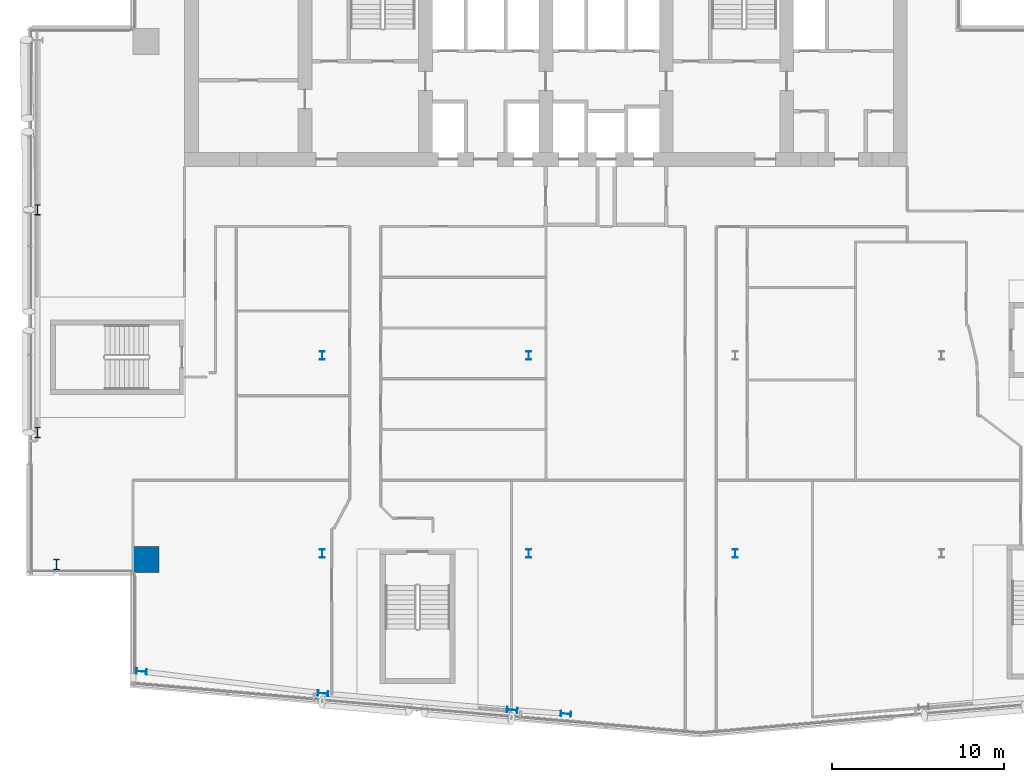
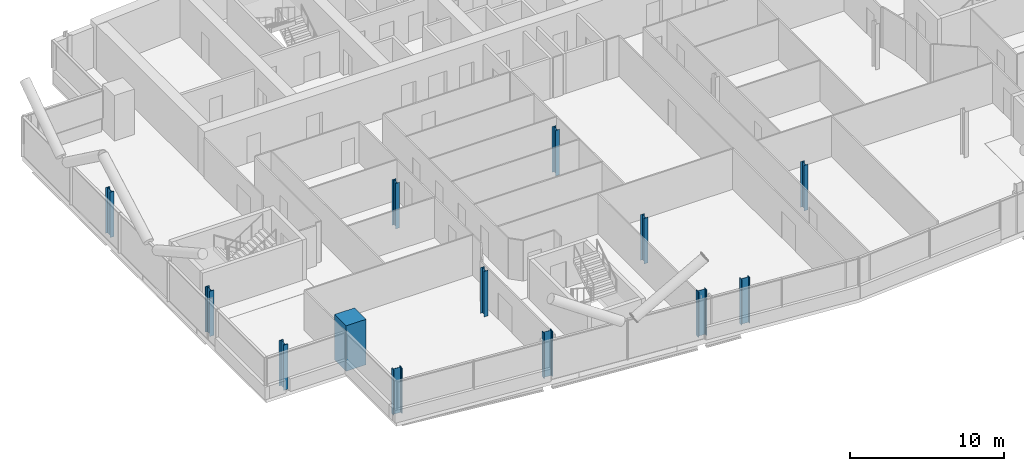
# One storey, part 1 of 26: 13 columns.
"""IFC4 building model written with IfcOpenShell, lengths in metres."""

from ifc_helpers import new_model, si_unit, direction, frame, origin, origin_2d, place, context, subcontext, project, spatial, rectangle, i_section, extrude, material, material_profile, profile_set, type_object, element, save


model = new_model("IFC4")

# Units and contexts
model_context = context("Model", 3, precision=1e-05, world=origin(), true_north=direction((0.0, 1.0)))
body_context = subcontext(model_context, "Body", "Model", "MODEL_VIEW")
ifc_project = project(units=[si_unit("LENGTHUNIT", "METRE"), si_unit("AREAUNIT", "SQUARE_METRE"), si_unit("VOLUMEUNIT", "CUBIC_METRE"), si_unit("PLANEANGLEUNIT", "RADIAN"), si_unit("MASSUNIT", "GRAM", prefix="KILO")], contexts=[model_context])

# Site, building, storey
site_placement = place(None, origin())
site = spatial("IfcSite", under=ifc_project, at=site_placement, CompositionType="ELEMENT")
building_placement = place(site_placement, origin())
building = spatial("IfcBuilding", under=site, at=building_placement, Name="Wharfspan Tower", CompositionType="ELEMENT")
storey_placement = place(building_placement, frame((0.0, 0.0, 166.300049)))
storey = spatial("IfcBuildingStorey", under=building, at=storey_placement, Name="L40", CompositionType="ELEMENT", Elevation=166.300049)

# Columns
ifc_material_1 = material(Name="Steel S355J2", Category="steel")
ifc_material_profile_1 = material_profile(ifc_material_1, i_section(OverallWidth=0.300049, OverallDepth=0.5, WebThickness=0.014404, FlangeThickness=0.028076, FilletRadius=0.0271, at=origin_2d()))
ifc_profile_set_1 = profile_set([ifc_material_profile_1], Name="Steel S355J2")
column_type_1 = type_object("IfcColumnType", Name="Column HEB 500", PredefinedType="COLUMN", material=ifc_profile_set_1)
for number, where, z_axis, x_axis, name in (
    (1, (24.0, 11.5, 0.0), (0.0, 0.0, 1.0), (1.0, 0.0, 0.0), "Interior column I.1.1 L40"),
    (2, (36.0, 11.5, 0.0), (0.0, 0.0, 1.0), (1.0, 0.0, 0.0), "Interior column I.1.2 L40"),
    (3, (48.0, 11.5, 0.0), (0.0, 0.0, 1.0), (1.0, 0.0, 0.0), "Interior column I.1.3 L40"),
    (4, (24.0, 23.0, 0.0), (0.0, 0.0, 1.0), (1.0, 0.0, 0.0), "Interior column I.2.1 L40"),
    (5, (36.0, 23.0, 0.0), (0.0, 0.0, 1.0), (1.0, 0.0, 0.0), "Interior column I.2.2 L40"),
):
    element("IfcColumn", number, at=place(storey_placement, frame(where, z_axis=z_axis, x_axis=x_axis)), inside=storey, type_object=column_type_1, Name=name, PredefinedType="COLUMN", context=body_context, shape_type="SweptSolid", body=[
        extrude(i_section(OverallWidth=0.300049, OverallDepth=0.5, WebThickness=0.014404, FlangeThickness=0.028076, FilletRadius=0.0271, at=origin_2d()), origin(), (0.0, 0.0, 1.0), 3.599854),
    ])
ifc_material_profile_2 = material_profile(ifc_material_1, i_section(OverallWidth=0.304932, OverallDepth=0.620117, WebThickness=0.020996, FlangeThickness=0.040039, FilletRadius=0.0271, at=origin_2d()))
ifc_profile_set_2 = profile_set([ifc_material_profile_2], Name="Steel S355J2")
column_type_2 = type_object("IfcColumnType", Name="Column HEM 600", PredefinedType="COLUMN", material=ifc_profile_set_2)
for number, where, z_axis, x_axis, name in (
    (6, (13.490723, 4.637451, 0.0), (0.0, 0.0, 1.0), (-0.087156, -0.996198, 0.0), "Perimeter column PS1.1 L40"),
    (7, (24.039307, 3.361084, 0.0), (0.0, 0.0, 1.0), (-0.087156, -0.996198, 0.0), "Perimeter column PS1.2 L40"),
    (8, (35.039307, 2.398682, 0.0), (0.0, 0.0, 1.0), (-0.087156, -0.996198, 0.0), "Perimeter column PS1.3 L40"),
    (9, (38.161133, 2.174072, 0.0), (0.0, 0.0, 1.0), (-0.087156, -0.996198, 0.0), "Perimeter column PS1.4 L40"),
    (10, (7.449951, 31.466553, 0.0), (0.0, 0.0, 1.0), (-1.0, 0.0, 0.0), "Perimeter column PW.1 L40"),
    (11, (7.449951, 18.533447, 0.0), (0.0, 0.0, 1.0), (-1.0, 0.0, 0.0), "Perimeter column PW.2 L40"),
    (12, (8.560791, 10.854004, 0.0), (0.0, 0.0, 1.0), (-1.0, 0.0, 0.0), "Perimeter column PW.3 L40"),
):
    element("IfcColumn", number, at=place(storey_placement, frame(where, z_axis=z_axis, x_axis=x_axis)), inside=storey, type_object=column_type_2, Name=name, PredefinedType="COLUMN", context=body_context, shape_type="SweptSolid", body=[
        extrude(i_section(OverallWidth=0.304932, OverallDepth=0.620117, WebThickness=0.020996, FlangeThickness=0.040039, FilletRadius=0.0271, at=origin_2d()), origin(), (0.0, 0.0, 1.0), 3.599854),
    ])
ifc_material_2 = material(Name="Concrete C60/75", Category="concrete")
ifc_material_profile_3 = material_profile(ifc_material_2, rectangle(XDim=1.5, YDim=1.5, at=origin_2d()))
ifc_profile_set_3 = profile_set([ifc_material_profile_3], Name="Concrete C60/75")
column_type_3 = type_object("IfcColumnType", Name="Mega column 1500 C60/75", PredefinedType="COLUMN", material=ifc_profile_set_3)
column_placement = place(storey_placement, frame((13.75, 11.149902, 0.0), z_axis=(0.0, 0.0, 1.0), x_axis=(1.0, 0.0, 0.0)))
element("IfcColumn", 13, at=column_placement, inside=storey, type_object=column_type_3, Name="Mega column MC1 L40", PredefinedType="COLUMN", context=body_context, shape_type="SweptSolid", body=[
    extrude(rectangle(XDim=1.5, YDim=1.5, at=origin_2d()), origin(), (0.0, 0.0, 1.0), 3.599854),
])

save(model, "model.ifc")
